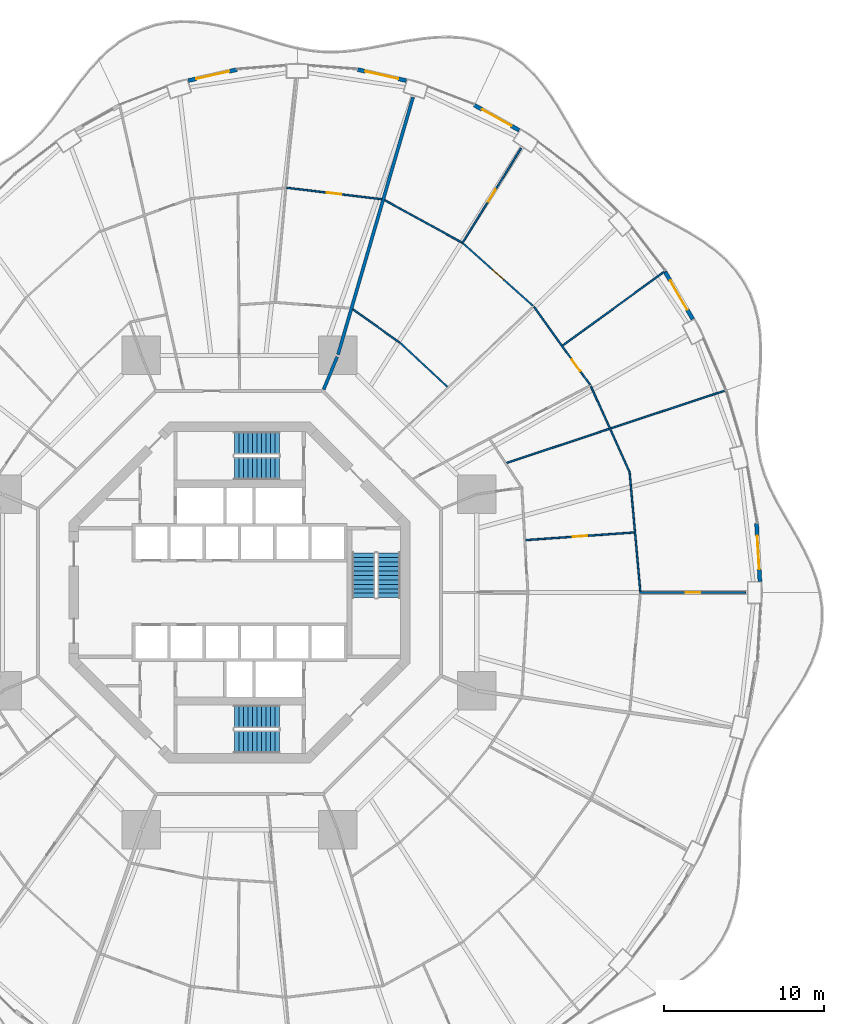
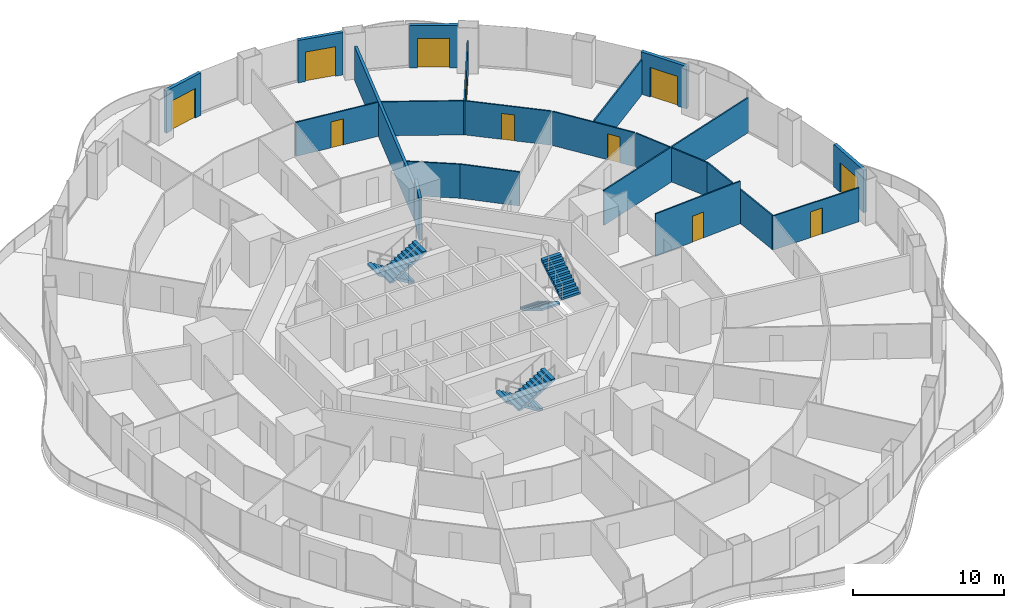
# One storey, part 19 of 22: 20 walls, 11 doors, 6 stair flights, 11 openings, 3 elements without a shape of their own.
"""IFC4 building model written with IfcOpenShell, lengths in metres."""

from ifc_helpers import new_model, si_unit, direction, frame, frame_2d, origin, place, context, subcontext, project, spatial, polyline, rectangle, outline, extrude, material, layer, layer_set, type_object, element, fill, aggregate, save


model = new_model("IFC4")

# Units and contexts
model_context = context("Model", 3, precision=1e-05, world=origin(), true_north=direction((0.0, 1.0)))
body_context = subcontext(model_context, "Body", "Model", "MODEL_VIEW")
ifc_project = project(units=[si_unit("LENGTHUNIT", "METRE"), si_unit("AREAUNIT", "SQUARE_METRE"), si_unit("VOLUMEUNIT", "CUBIC_METRE"), si_unit("PLANEANGLEUNIT", "RADIAN"), si_unit("MASSUNIT", "GRAM", prefix="KILO")], contexts=[model_context])

# Site, building, storey
site_placement = place(None, origin())
site = spatial("IfcSite", under=ifc_project, at=site_placement, CompositionType="ELEMENT")
building_placement = place(site_placement, origin())
building = spatial("IfcBuilding", under=site, at=building_placement, Name="Nagisa Residences", CompositionType="ELEMENT")
storey_placement = place(building_placement, frame((0.0, 0.0, 34.39990234375)))
storey = spatial("IfcBuildingStorey", under=building, at=storey_placement, Name="L07", CompositionType="ELEMENT", Elevation=34.39990234375)

# Walls
ifc_material_1 = material(Name="Gypsum board on steel studs", Category="steel")
ifc_layer_1 = layer(ifc_material_1, 0.199951171875)
ifc_layer_set_1 = layer_set([ifc_layer_1], Name="Apartment compartment wall EI60 200")
wall_type_1 = type_object("IfcWallType", Name="Apartment compartment wall EI60 200", PredefinedType="PARTITIONING", material=ifc_layer_set_1)
wall_1_placement = place(storey_placement, frame((5.24267578125, 12.6572265625, 0.0), z_axis=(0.0, 0.0, 1.0), x_axis=(0.382707856524, 0.923869415315, 0.0)))
element("IfcWall", 1, at=wall_1_placement, inside=storey, type_object=wall_type_1, Name="wall:L07:u00", PredefinedType="PARTITIONING", context=body_context, shape_type="SweptSolid", body=[
    extrude(rectangle(XDim=2.2001953125, YDim=0.199951171875, at=frame_2d((1.10009765625, 0.0))), origin(), (0.0, 0.0, 1.0), 3.440185546875),
])
wall_2_placement = place(storey_placement, frame((6.136962890625, 14.830078125, 0.0), z_axis=(0.0, 0.0, 1.0), x_axis=(0.27985745069, 0.960041565399, 0.0)))
element("IfcWall", 2, at=wall_2_placement, inside=storey, type_object=wall_type_1, Name="wall:L07:u01", PredefinedType="PARTITIONING", context=body_context, shape_type="SweptSolid", body=[
    extrude(rectangle(XDim=16.705078125, YDim=0.199951171875, at=frame_2d((8.3525390625, 0.0))), origin(), (0.0, 0.0, 1.0), 2.756103515625),
])

# Wall, opening, door
ifc_material_2 = material(Name="Gypsum board on steel studs", Category="steel")
ifc_layer_2 = layer(ifc_material_2, 0.10009765625)
ifc_layer_set_2 = layer_set([ifc_layer_2], Name="Apartment partition 100")
wall_type_2 = type_object("IfcWallType", Name="Apartment partition 100", PredefinedType="PARTITIONING", material=ifc_layer_set_2)
wall_3_placement = place(storey_placement, frame((24.9365234375, 0.0, 0.0), z_axis=(0.0, 0.0, 1.0), x_axis=(1.0, 0.0, 0.0)))
wall_3 = element("IfcWall", 3, at=wall_3_placement, inside=storey, type_object=wall_type_2, Name="wall:L07:u19", PredefinedType="PARTITIONING", context=body_context, shape_type="SweptSolid", body=[
    extrude(rectangle(XDim=6.613525390625, YDim=0.10009765625, at=frame_2d((3.306640625, 0.0))), origin(), (0.0, 0.0, 1.0), 2.756103515625),
])
opening_1_placement = place(wall_3_placement, frame((2.881591796875, 0.0, 0.0)))
opening_1 = element("IfcOpeningElement", 4, at=opening_1_placement, cuts=wall_3, Name="Opening L07-U13", PredefinedType="OPENING", context=body_context, shape_type="SweptSolid", body=[
    extrude(rectangle(XDim=0.89990234375, YDim=2.10009765625, at=frame_2d((0.449951171875, 1.050048828125))), frame((0.0, 0.06005859375, 0.0), z_axis=(0.0, -1.0, 0.0), x_axis=(1.0, 0.0, 0.0)), (0.0, 0.0, 1.0), 0.1201171875),
])
ifc_material_3 = material(Name="Timber door set", Category="wood")
door_type_1 = type_object("IfcDoorType", Name="Apartment door 900x2100", OperationType="NOTDEFINED", PredefinedType="DOOR", material=ifc_material_3)
door_1_placement = place(opening_1_placement, origin())
door_1 = element("IfcDoor", 5, at=door_1_placement, inside=storey, type_object=door_type_1, Name="Door to family room, Apartment 07A", OperationType="SINGLE_SWING_LEFT", OverallHeight=2.10009765625, OverallWidth=0.89990234375, PredefinedType="DOOR", context=body_context, shape_type="SweptSolid", body=[
    extrude(rectangle(XDim=0.89990234375, YDim=2.10009765625, at=frame_2d((0.449951171875, 1.050048828125))), frame((0.0, 0.02490234375, 0.0), z_axis=(0.0, -1.0, 0.0), x_axis=(1.0, 0.0, 0.0)), (0.0, 0.0, 1.0), 0.050048828125),
])
fill(opening_1, door_1)

# Wall
wall_4_placement = place(storey_placement, frame((24.982177734375, 0.0498046875, 0.0), z_axis=(0.0, 0.0, 1.0), x_axis=(-0.089444214321, 0.995991833563, 0.0)))
element("IfcWall", 6, at=wall_4_placement, inside=storey, type_object=wall_type_2, Name="wall:L07:u20", PredefinedType="PARTITIONING", context=body_context, shape_type="SweptSolid", body=[
    extrude(rectangle(XDim=7.522705078125, YDim=0.10009765625, at=frame_2d((3.76123046875, 0.0))), origin(), (0.0, 0.0, 1.0), 2.756103515625),
])

# Wall, opening, door
wall_5_placement = place(storey_placement, frame((17.8330078125, 3.266845703125, 0.0), z_axis=(0.0, 0.0, 1.0), x_axis=(0.997537184513, 0.070139614438, 0.0)))
wall_5 = element("IfcWall", 7, at=wall_5_placement, inside=storey, type_object=wall_type_2, Name="wall:L07:u22", PredefinedType="PARTITIONING", context=body_context, shape_type="SweptSolid", body=[
    extrude(rectangle(XDim=6.783935546875, YDim=0.10009765625, at=frame_2d((3.39208984375, 0.0))), origin(), (0.0, 0.0, 1.0), 3.440185546875),
])
opening_2_placement = place(wall_5_placement, frame((2.94189453125, 0.0, 0.0)))
opening_2 = element("IfcOpeningElement", 8, at=opening_2_placement, cuts=wall_5, Name="Opening L07-U11", PredefinedType="OPENING", context=body_context, shape_type="SweptSolid", body=[
    extrude(rectangle(XDim=0.89990234375, YDim=2.10009765625, at=frame_2d((0.449951171875, 1.050048828125))), frame((0.0, 0.06005859375, 0.0), z_axis=(0.0, -1.0, 0.0), x_axis=(1.0, 0.0, 0.0)), (0.0, 0.0, 1.0), 0.1201171875),
])
door_2_placement = place(opening_2_placement, origin())
door_2 = element("IfcDoor", 9, at=door_2_placement, inside=storey, type_object=door_type_1, Name="Door to kitchen, Apartment 07A", OperationType="SINGLE_SWING_LEFT", OverallHeight=2.10009765625, OverallWidth=0.89990234375, PredefinedType="DOOR", context=body_context, shape_type="SweptSolid", body=[
    extrude(rectangle(XDim=0.89990234375, YDim=2.10009765625, at=frame_2d((0.449951171875, 1.050048828125))), frame((0.0, 0.02490234375, 0.0), z_axis=(0.0, -1.0, 0.0), x_axis=(1.0, 0.0, 0.0)), (0.0, 0.0, 1.0), 0.050048828125),
])
fill(opening_2, door_2)

# Walls
wall_6_placement = place(storey_placement, frame((24.293212890625, 7.5380859375, 0.0), z_axis=(0.0, 0.0, 1.0), x_axis=(-0.410197710154, 0.911996622025, 0.0)))
element("IfcWall", 10, at=wall_6_placement, inside=storey, type_object=wall_type_2, Name="wall:L07:u26", PredefinedType="PARTITIONING", context=body_context, shape_type="SweptSolid", body=[
    extrude(rectangle(XDim=5.8369140625, YDim=0.10009765625, at=frame_2d((2.91845703125, 0.0))), origin(), (0.0, 0.0, 1.0), 2.756103515625),
])
wall_7_placement = place(storey_placement, frame((16.634521484375, 8.077880859375, 0.0), z_axis=(0.0, 0.0, 1.0), x_axis=(0.949412285442, 0.314032342684, 0.0)))
element("IfcWall", 11, at=wall_7_placement, inside=storey, type_object=wall_type_2, Name="wall:L07:u27", PredefinedType="PARTITIONING", context=body_context, shape_type="SweptSolid", body=[
    extrude(rectangle(XDim=14.450927734375, YDim=0.10009765625, at=frame_2d((7.2255859375, 0.0))), origin(), (0.0, 0.0, 1.0), 2.837158203125),
])

# Wall, opening, door
wall_8_placement = place(storey_placement, frame((21.849365234375, 12.947509765625, 0.0), z_axis=(0.0, 0.0, 1.0), x_axis=(-0.584563700282, 0.811347817099, 0.0)))
wall_8 = element("IfcWall", 12, at=wall_8_placement, inside=storey, type_object=wall_type_2, Name="wall:L07:u29", PredefinedType="PARTITIONING", context=body_context, shape_type="SweptSolid", body=[
    extrude(rectangle(XDim=5.984375, YDim=0.10009765625, at=frame_2d((2.9921875, 0.0))), origin(), (0.0, 0.0, 1.0), 2.756103515625),
])
opening_3_placement = place(wall_8_placement, frame((1.046142578125, 0.0, 0.0)))
opening_3 = element("IfcOpeningElement", 13, at=opening_3_placement, cuts=wall_8, Name="Opening L07-U06", PredefinedType="OPENING", context=body_context, shape_type="SweptSolid", body=[
    extrude(rectangle(XDim=0.89990234375, YDim=2.10009765625, at=frame_2d((0.449951171875, 1.050048828125))), frame((0.0, 0.06005859375, 0.0), z_axis=(0.0, -1.0, 0.0), x_axis=(1.0, 0.0, 0.0)), (0.0, 0.0, 1.0), 0.1201171875),
])
door_3_placement = place(opening_3_placement, frame((0.89990234375, 0.0, 0.0), x_axis=(-1.0, 0.0, 0.0)))
door_3 = element("IfcDoor", 14, at=door_3_placement, inside=storey, type_object=door_type_1, Name="Door to master bedroom, Apartment 07A", OperationType="SINGLE_SWING_LEFT", OverallHeight=2.10009765625, OverallWidth=0.89990234375, PredefinedType="DOOR", context=body_context, shape_type="SweptSolid", body=[
    extrude(rectangle(XDim=0.89990234375, YDim=2.10009765625, at=frame_2d((0.449951171875, 1.050048828125))), frame((0.0, 0.02490234375, 0.0), z_axis=(0.0, -1.0, 0.0), x_axis=(1.0, 0.0, 0.0)), (0.0, 0.0, 1.0), 0.050048828125),
])
fill(opening_3, door_3)

# Walls
wall_9_placement = place(storey_placement, frame((20.140625, 15.404541015625, 0.0), z_axis=(0.0, 0.0, 1.0), x_axis=(0.809834895779, 0.58665785734, 0.0)))
element("IfcWall", 15, at=wall_9_placement, inside=storey, type_object=wall_type_2, Name="wall:L07:u30", PredefinedType="PARTITIONING", context=body_context, shape_type="SweptSolid", body=[
    extrude(rectangle(XDim=7.9453125, YDim=0.10009765625, at=frame_2d((3.97265625, 0.0))), origin(), (0.0, 0.0, 1.0), 2.837158203125),
])
wall_10_placement = place(storey_placement, frame((12.957763671875, 12.820068359375, 0.0), z_axis=(0.0, 0.0, 1.0), x_axis=(-0.732028724098, 0.681273768096, 0.0)))
element("IfcWall", 16, at=wall_10_placement, inside=storey, type_object=wall_type_2, Name="wall:L07:u32", PredefinedType="PARTITIONING", context=body_context, shape_type="SweptSolid", body=[
    extrude(rectangle(XDim=4.05029296875, YDim=0.10009765625, at=frame_2d((2.025146484375, 0.0))), origin(), (0.0, 0.0, 1.0), 2.756103515625),
])

# Wall, opening, door
wall_11_placement = place(storey_placement, frame((18.28466796875, 17.876953125, 0.0), z_axis=(0.0, 0.0, 1.0), x_axis=(-0.745806142791, 0.666163041136, 0.0)))
wall_11 = element("IfcWall", 17, at=wall_11_placement, inside=storey, type_object=wall_type_2, Name="wall:L07:u33", PredefinedType="PARTITIONING", context=body_context, shape_type="SweptSolid", body=[
    extrude(rectangle(XDim=5.83056640625, YDim=0.10009765625, at=frame_2d((2.915283203125, 0.0))), origin(), (0.0, 0.0, 1.0), 2.756103515625),
])
opening_4_placement = place(wall_11_placement, frame((2.46533203125, 0.0, 0.0)))
opening_4 = element("IfcOpeningElement", 18, at=opening_4_placement, cuts=wall_11, Name="Opening L07-U07", PredefinedType="OPENING", context=body_context, shape_type="SweptSolid", body=[
    extrude(rectangle(XDim=0.89990234375, YDim=2.10009765625, at=frame_2d((0.449951171875, 1.050048828125))), frame((0.0, 0.06005859375, 0.0), z_axis=(0.0, -1.0, 0.0), x_axis=(1.0, 0.0, 0.0)), (0.0, 0.0, 1.0), 0.1201171875),
])
door_4_placement = place(opening_4_placement, frame((0.89990234375, 0.0, 0.0), x_axis=(-1.0, 0.0, 0.0)))
door_4 = element("IfcDoor", 19, at=door_4_placement, inside=storey, type_object=door_type_1, Name="Door to family room, Apartment 07A", OperationType="SINGLE_SWING_RIGHT", OverallHeight=2.10009765625, OverallWidth=0.89990234375, PredefinedType="DOOR", context=body_context, shape_type="SweptSolid", body=[
    extrude(rectangle(XDim=0.89990234375, YDim=2.10009765625, at=frame_2d((0.449951171875, 1.050048828125))), frame((0.0, 0.02490234375, 0.0), z_axis=(0.0, -1.0, 0.0), x_axis=(1.0, 0.0, 0.0)), (0.0, 0.0, 1.0), 0.050048828125),
])
fill(opening_4, door_4)

# Wall
wall_12_placement = place(storey_placement, frame((9.98876953125, 15.57421875, 0.0), z_axis=(0.0, 0.0, 1.0), x_axis=(-0.81492039338, 0.57957290521, 0.0)))
element("IfcWall", 20, at=wall_12_placement, inside=storey, type_object=wall_type_2, Name="wall:L07:u34", PredefinedType="PARTITIONING", context=body_context, shape_type="SweptSolid", body=[
    extrude(rectangle(XDim=3.594482421875, YDim=0.10009765625, at=frame_2d((1.79736328125, 0.0))), origin(), (0.0, 0.0, 1.0), 2.756103515625),
])

# Wall, opening, door
wall_13_placement = place(storey_placement, frame((13.87255859375, 21.751708984375, 0.0), z_axis=(0.0, 0.0, 1.0), x_axis=(0.52644491616, 0.850209239099, 0.0)))
wall_13 = element("IfcWall", 21, at=wall_13_placement, inside=storey, type_object=wall_type_2, Name="wall:L07:u35", PredefinedType="PARTITIONING", context=body_context, shape_type="SweptSolid", body=[
    extrude(rectangle(XDim=6.98046875, YDim=0.10009765625, at=frame_2d((3.490234375, 0.0))), origin(), (0.0, 0.0, 1.0), 2.756103515625),
])
opening_5_placement = place(wall_13_placement, frame((3.065185546875, 0.0, 0.0)))
opening_5 = element("IfcOpeningElement", 22, at=opening_5_placement, cuts=wall_13, Name="Opening L07-U08", PredefinedType="OPENING", context=body_context, shape_type="SweptSolid", body=[
    extrude(rectangle(XDim=0.89990234375, YDim=2.10009765625, at=frame_2d((0.449951171875, 1.050048828125))), frame((0.0, 0.06005859375, 0.0), z_axis=(0.0, -1.0, 0.0), x_axis=(1.0, 0.0, 0.0)), (0.0, 0.0, 1.0), 0.1201171875),
])
door_5_placement = place(opening_5_placement, origin())
door_5 = element("IfcDoor", 23, at=door_5_placement, inside=storey, type_object=door_type_1, Name="Door to master bedroom, Apartment 07A", OperationType="SINGLE_SWING_RIGHT", OverallHeight=2.10009765625, OverallWidth=0.89990234375, PredefinedType="DOOR", context=body_context, shape_type="SweptSolid", body=[
    extrude(rectangle(XDim=0.89990234375, YDim=2.10009765625, at=frame_2d((0.449951171875, 1.050048828125))), frame((0.0, 0.02490234375, 0.0), z_axis=(0.0, -1.0, 0.0), x_axis=(1.0, 0.0, 0.0)), (0.0, 0.0, 1.0), 0.050048828125),
])
fill(opening_5, door_5)

# Wall
wall_14_placement = place(storey_placement, frame((13.85498046875, 21.818359375, 0.0), z_axis=(0.0, 0.0, 1.0), x_axis=(-0.876809987787, 0.480837025734, 0.0)))
element("IfcWall", 24, at=wall_14_placement, inside=storey, type_object=wall_type_2, Name="wall:L07:u36", PredefinedType="PARTITIONING", context=body_context, shape_type="SweptSolid", body=[
    extrude(rectangle(XDim=5.486083984375, YDim=0.10009765625, at=frame_2d((2.7431640625, 0.0))), origin(), (0.0, 0.0, 1.0), 2.756103515625),
])

# Wall, opening, door
wall_15_placement = place(storey_placement, frame((8.857666015625, 24.516357421875, 0.0), z_axis=(0.0, 0.0, 1.0), x_axis=(-0.992834127896, 0.119500604542, 0.0)))
wall_15 = element("IfcWall", 25, at=wall_15_placement, inside=storey, type_object=wall_type_2, Name="wall:L07:u38", PredefinedType="PARTITIONING", context=body_context, shape_type="SweptSolid", body=[
    extrude(rectangle(XDim=5.95947265625, YDim=0.10009765625, at=frame_2d((2.979736328125, 0.0))), origin(), (0.0, 0.0, 1.0), 2.756103515625),
])
opening_6_placement = place(wall_15_placement, frame((2.52978515625, 0.0, 0.0)))
opening_6 = element("IfcOpeningElement", 26, at=opening_6_placement, cuts=wall_15, Name="Opening L07-U22", PredefinedType="OPENING", context=body_context, shape_type="SweptSolid", body=[
    extrude(rectangle(XDim=0.89990234375, YDim=2.10009765625, at=frame_2d((0.449951171875, 1.050048828125))), frame((0.0, 0.06005859375, 0.0), z_axis=(0.0, -1.0, 0.0), x_axis=(1.0, 0.0, 0.0)), (0.0, 0.0, 1.0), 0.1201171875),
])
door_6_placement = place(opening_6_placement, frame((0.89990234375, 0.0, 0.0), x_axis=(-1.0, 0.0, 0.0)))
door_6 = element("IfcDoor", 27, at=door_6_placement, inside=storey, type_object=door_type_1, Name="Door to master bedroom, Apartment 07B", OperationType="SINGLE_SWING_LEFT", OverallHeight=2.10009765625, OverallWidth=0.89990234375, PredefinedType="DOOR", context=body_context, shape_type="SweptSolid", body=[
    extrude(rectangle(XDim=0.89990234375, YDim=2.10009765625, at=frame_2d((0.449951171875, 1.050048828125))), frame((0.0, 0.02490234375, 0.0), z_axis=(0.0, -1.0, 0.0), x_axis=(1.0, 0.0, 0.0)), (0.0, 0.0, 1.0), 0.050048828125),
])
fill(opening_6, door_6)

ifc_material_4 = material(Name="Precast concrete C40/50", Category="concrete")
ifc_layer_3 = layer(ifc_material_4, 0.25)
ifc_layer_set_3 = layer_set([ifc_layer_3], Name="BALCONY DOOR WALL 250")
wall_type_3 = type_object("IfcWallType", Name="BALCONY DOOR WALL 250", PredefinedType="SOLIDWALL", material=ifc_layer_set_3)
wall_16_placement = place(storey_placement, frame((32.22705078125, 4.30029296875, 0.0), z_axis=(0.0, 0.0, 1.0), x_axis=(0.057546046339, -0.998342853208, 0.0)))
wall_16 = element("IfcWall", 28, at=wall_16_placement, inside=storey, type_object=wall_type_3, Name="wall:L07:bay00", PredefinedType="SOLIDWALL", context=body_context, shape_type="SweptSolid", body=[
    extrude(rectangle(XDim=3.61474609375, YDim=0.25, at=frame_2d((1.807373046875, 0.0))), origin(), (0.0, 0.0, 1.0), 3.440185546875),
])
opening_7_placement = place(wall_16_placement, frame((0.75732421875, 0.0, 0.0)))
opening_7 = element("IfcOpeningElement", 29, at=opening_7_placement, cuts=wall_16, Name="Opening BD-L07-01", PredefinedType="OPENING", context=body_context, shape_type="SweptSolid", body=[
    extrude(rectangle(XDim=2.10009765625, YDim=2.39990234375, at=frame_2d((1.050048828125, 1.199951171875))), frame((0.0, 0.135009765625, 0.0), z_axis=(0.0, -1.0, 0.0), x_axis=(1.0, 0.0, 0.0)), (0.0, 0.0, 1.0), 0.27001953125),
])
ifc_material_5 = material(Name="Aluminium and clear glass", Category="aluminium")
door_type_2 = type_object("IfcDoorType", Name="BALCONY SLIDING DOOR 2100x2400", OperationType="SLIDING_TO_LEFT", PredefinedType="DOOR", material=ifc_material_5)
door_7_placement = place(opening_7_placement, origin())
door_7 = element("IfcDoor", 30, at=door_7_placement, inside=storey, type_object=door_type_2, Name="door:L07:bay00", OperationType="SLIDING_TO_LEFT", OverallHeight=2.39990234375, OverallWidth=2.10009765625, PredefinedType="DOOR", context=body_context, shape_type="SweptSolid", body=[
    extrude(rectangle(XDim=2.10009765625, YDim=2.39990234375, at=frame_2d((1.050048828125, 1.199951171875))), frame((0.0, 0.02490234375, 0.0), z_axis=(0.0, -1.0, 0.0), x_axis=(1.0, 0.0, 0.0)), (0.0, 0.0, 1.0), 0.050048828125),
])
fill(opening_7, door_7)

wall_17_placement = place(storey_placement, frame((26.49951171875, 20.02587890625, 0.0), z_axis=(0.0, 0.0, 1.0), x_axis=(0.506311160839, -0.862350861546, 0.0)))
wall_17 = element("IfcWall", 31, at=wall_17_placement, inside=storey, type_object=wall_type_3, Name="wall:L07:bay04", PredefinedType="SOLIDWALL", context=body_context, shape_type="SweptSolid", body=[
    extrude(rectangle(XDim=3.462158203125, YDim=0.25, at=frame_2d((1.73095703125, 0.0))), origin(), (0.0, 0.0, 1.0), 3.440185546875),
])
opening_8_placement = place(wall_17_placement, frame((0.68115234375, 0.0, 0.0)))
opening_8 = element("IfcOpeningElement", 32, at=opening_8_placement, cuts=wall_17, Name="Opening BD-L07-02", PredefinedType="OPENING", context=body_context, shape_type="SweptSolid", body=[
    extrude(rectangle(XDim=2.10009765625, YDim=2.39990234375, at=frame_2d((1.050048828125, 1.199951171875))), frame((0.0, 0.135009765625, 0.0), z_axis=(0.0, -1.0, 0.0), x_axis=(1.0, 0.0, 0.0)), (0.0, 0.0, 1.0), 0.27001953125),
])
door_8_placement = place(opening_8_placement, origin())
door_8 = element("IfcDoor", 33, at=door_8_placement, inside=storey, type_object=door_type_2, Name="door:L07:bay04", OperationType="SLIDING_TO_LEFT", OverallHeight=2.39990234375, OverallWidth=2.10009765625, PredefinedType="DOOR", context=body_context, shape_type="SweptSolid", body=[
    extrude(rectangle(XDim=2.10009765625, YDim=2.39990234375, at=frame_2d((1.050048828125, 1.199951171875))), frame((0.0, 0.02490234375, 0.0), z_axis=(0.0, -1.0, 0.0), x_axis=(1.0, 0.0, 0.0)), (0.0, 0.0, 1.0), 0.050048828125),
])
fill(opening_8, door_8)

wall_18_placement = place(storey_placement, frame((14.63671875, 30.37890625, 0.0), z_axis=(0.0, 0.0, 1.0), x_axis=(0.872102558443, -0.489323132048, 0.0)))
wall_18 = element("IfcWall", 34, at=wall_18_placement, inside=storey, type_object=wall_type_3, Name="wall:L07:bay08", PredefinedType="SOLIDWALL", context=body_context, shape_type="SweptSolid", body=[
    extrude(rectangle(XDim=3.201171875, YDim=0.25, at=frame_2d((1.6005859375, 0.0))), origin(), (0.0, 0.0, 1.0), 3.440185546875),
])
opening_9_placement = place(wall_18_placement, frame((0.550537109375, 0.0, 0.0)))
opening_9 = element("IfcOpeningElement", 35, at=opening_9_placement, cuts=wall_18, Name="Opening BD-L07-03", PredefinedType="OPENING", context=body_context, shape_type="SweptSolid", body=[
    extrude(rectangle(XDim=2.10009765625, YDim=2.39990234375, at=frame_2d((1.050048828125, 1.199951171875))), frame((0.0, 0.135009765625, 0.0), z_axis=(0.0, -1.0, 0.0), x_axis=(1.0, 0.0, 0.0)), (0.0, 0.0, 1.0), 0.27001953125),
])
door_9_placement = place(opening_9_placement, origin())
door_9 = element("IfcDoor", 36, at=door_9_placement, inside=storey, type_object=door_type_2, Name="door:L07:bay08", OperationType="SLIDING_TO_LEFT", OverallHeight=2.39990234375, OverallWidth=2.10009765625, PredefinedType="DOOR", context=body_context, shape_type="SweptSolid", body=[
    extrude(rectangle(XDim=2.10009765625, YDim=2.39990234375, at=frame_2d((1.050048828125, 1.199951171875))), frame((0.0, 0.02490234375, 0.0), z_axis=(0.0, -1.0, 0.0), x_axis=(1.0, 0.0, 0.0)), (0.0, 0.0, 1.0), 0.050048828125),
])
fill(opening_9, door_9)

wall_19_placement = place(storey_placement, frame((7.357666015625, 32.595703125, 0.0), z_axis=(0.0, 0.0, 1.0), x_axis=(0.97533495413, -0.220729987208, 0.0)))
wall_19 = element("IfcWall", 37, at=wall_19_placement, inside=storey, type_object=wall_type_3, Name="wall:L07:bay10", PredefinedType="SOLIDWALL", context=body_context, shape_type="SweptSolid", body=[
    extrude(rectangle(XDim=3.11474609375, YDim=0.25, at=frame_2d((1.557373046875, 0.0))), origin(), (0.0, 0.0, 1.0), 3.440185546875),
])
opening_10_placement = place(wall_19_placement, frame((0.50732421875, 0.0, 0.0)))
opening_10 = element("IfcOpeningElement", 38, at=opening_10_placement, cuts=wall_19, Name="Opening BD-L07-04", PredefinedType="OPENING", context=body_context, shape_type="SweptSolid", body=[
    extrude(rectangle(XDim=2.10009765625, YDim=2.39990234375, at=frame_2d((1.050048828125, 1.199951171875))), frame((0.0, 0.135009765625, 0.0), z_axis=(0.0, -1.0, 0.0), x_axis=(1.0, 0.0, 0.0)), (0.0, 0.0, 1.0), 0.27001953125),
])
door_10_placement = place(opening_10_placement, origin())
door_10 = element("IfcDoor", 39, at=door_10_placement, inside=storey, type_object=door_type_2, Name="door:L07:bay10", OperationType="SLIDING_TO_LEFT", OverallHeight=2.39990234375, OverallWidth=2.10009765625, PredefinedType="DOOR", context=body_context, shape_type="SweptSolid", body=[
    extrude(rectangle(XDim=2.10009765625, YDim=2.39990234375, at=frame_2d((1.050048828125, 1.199951171875))), frame((0.0, 0.02490234375, 0.0), z_axis=(0.0, -1.0, 0.0), x_axis=(1.0, 0.0, 0.0)), (0.0, 0.0, 1.0), 0.050048828125),
])
fill(opening_10, door_10)

wall_20_placement = place(storey_placement, frame((-3.1953125, 31.908203125, 0.0), z_axis=(0.0, 0.0, 1.0), x_axis=(0.975331134677, 0.220746863466, 0.0)))
wall_20 = element("IfcWall", 40, at=wall_20_placement, inside=storey, type_object=wall_type_3, Name="wall:L07:bay13", PredefinedType="SOLIDWALL", context=body_context, shape_type="SweptSolid", body=[
    extrude(rectangle(XDim=3.114501953125, YDim=0.25, at=frame_2d((1.55712890625, 0.0))), origin(), (0.0, 0.0, 1.0), 3.440185546875),
])
opening_11_placement = place(wall_20_placement, frame((0.50732421875, 0.0, 0.0)))
opening_11 = element("IfcOpeningElement", 41, at=opening_11_placement, cuts=wall_20, Name="Opening BD-L07-05", PredefinedType="OPENING", context=body_context, shape_type="SweptSolid", body=[
    extrude(rectangle(XDim=2.10009765625, YDim=2.39990234375, at=frame_2d((1.050048828125, 1.199951171875))), frame((0.0, 0.135009765625, 0.0), z_axis=(0.0, -1.0, 0.0), x_axis=(1.0, 0.0, 0.0)), (0.0, 0.0, 1.0), 0.27001953125),
])
door_11_placement = place(opening_11_placement, origin())
door_11 = element("IfcDoor", 42, at=door_11_placement, inside=storey, type_object=door_type_2, Name="door:L07:bay13", OperationType="SLIDING_TO_LEFT", OverallHeight=2.39990234375, OverallWidth=2.10009765625, PredefinedType="DOOR", context=body_context, shape_type="SweptSolid", body=[
    extrude(rectangle(XDim=2.10009765625, YDim=2.39990234375, at=frame_2d((1.050048828125, 1.199951171875))), frame((0.0, 0.02490234375, 0.0), z_axis=(0.0, -1.0, 0.0), x_axis=(1.0, 0.0, 0.0)), (0.0, 0.0, 1.0), 0.050048828125),
])
fill(opening_11, door_11)

# Stair, stair flights
ifc_material_6 = material(Name="Concrete C60", Category="concrete")
stair_type = type_object("IfcStairType", Name="Exit stair", PredefinedType="HALF_TURN_STAIR", material=ifc_material_6)
stair_1_placement = place(storey_placement, origin())
stair_1 = element("IfcStair", 43, at=stair_1_placement, inside=storey, type_object=stair_type, Name="L07 Exit stair E", PredefinedType="HALF_TURN_STAIR")
ifc_material_7 = material(Name="Concrete C60", Category="concrete")
stair_flight_type = type_object("IfcStairFlightType", Name="Exit stair flight", PredefinedType="STRAIGHT", material=ifc_material_7)
stair_flight_1_placement = place(storey_placement, frame((7.737060546875, 2.47509765625, 0.0), z_axis=(0.0, 0.0, 1.0), x_axis=(0.0, -1.0, 0.0)))
stair_flight_1 = element("IfcStairFlight", 44, at=stair_flight_1_placement, type_object=stair_flight_type, Name="ST-E flight 1", NumberOfRisers=11, NumberOfTreads=10, PredefinedType="STRAIGHT", RiserHeight=0.168181818, TreadLength=0.28, context=body_context, shape_type="SweptSolid", body=[
    extrude(outline(polyline([(0.0, 0.0), (0.0, 0.168212890625), (0.280029296875, 0.168212890625), (0.280029296875, 0.33642578125), (0.56005859375, 0.33642578125), (0.56005859375, 0.504638671875), (0.840087890625, 0.504638671875), (0.840087890625, 0.672607421875), (1.1201171875, 0.672607421875), (1.1201171875, 0.8408203125), (1.39990234375, 0.8408203125), (1.39990234375, 1.009033203125), (1.679931640625, 1.009033203125), (1.679931640625, 1.17724609375), (1.9599609375, 1.17724609375), (1.9599609375, 1.345458984375), (2.239990234375, 1.345458984375), (2.239990234375, 1.513671875), (2.52001953125, 1.513671875), (2.52001953125, 1.681884765625), (2.800048828125, 1.681884765625), (2.800048828125, 1.85009765625), (2.800048828125, 1.5068359375), (0.291015625, 0.0), (0.0, 0.0)])), frame((0.0, 0.71240234375, 0.0), z_axis=(0.0, -1.0, 0.0), x_axis=(1.0, 0.0, 0.0)), (0.0, 0.0, 1.0), 1.425048828125),
])
stair_flight_2_placement = place(storey_placement, frame((9.31201171875, -0.324951171875, 1.85009765625), z_axis=(0.0, 0.0, 1.0), x_axis=(0.0, 1.0, 0.0)))
stair_flight_2 = element("IfcStairFlight", 45, at=stair_flight_2_placement, type_object=stair_flight_type, Name="ST-E flight 2", NumberOfRisers=11, NumberOfTreads=10, PredefinedType="STRAIGHT", RiserHeight=0.168181818, TreadLength=0.28, context=body_context, shape_type="SweptSolid", body=[
    extrude(outline(polyline([(0.0, 0.0), (0.0, 0.168212890625), (0.280029296875, 0.168212890625), (0.280029296875, 0.33642578125), (0.56005859375, 0.33642578125), (0.56005859375, 0.504638671875), (0.840087890625, 0.504638671875), (0.840087890625, 0.672607421875), (1.1201171875, 0.672607421875), (1.1201171875, 0.8408203125), (1.39990234375, 0.8408203125), (1.39990234375, 1.009033203125), (1.679931640625, 1.009033203125), (1.679931640625, 1.17724609375), (1.9599609375, 1.17724609375), (1.9599609375, 1.345458984375), (2.239990234375, 1.345458984375), (2.239990234375, 1.513671875), (2.52001953125, 1.513671875), (2.52001953125, 1.681884765625), (2.800048828125, 1.681884765625), (2.800048828125, 1.85009765625), (2.800048828125, 1.5068359375), (0.291015625, 0.0), (0.0, 0.0)])), frame((0.0, 0.71240234375, 0.0), z_axis=(0.0, -1.0, 0.0), x_axis=(1.0, 0.0, 0.0)), (0.0, 0.0, 1.0), 1.425048828125),
])
aggregate(stair_1, [stair_flight_1, stair_flight_2])

stair_2_placement = place(storey_placement, origin())
stair_2 = element("IfcStair", 46, at=stair_2_placement, inside=storey, type_object=stair_type, Name="L07 Exit stair N", PredefinedType="HALF_TURN_STAIR")
stair_flight_3_placement = place(storey_placement, frame((2.47509765625, 9.31201171875, 0.0), z_axis=(0.0, 0.0, 1.0), x_axis=(-1.0, 0.0, 0.0)))
stair_flight_3 = element("IfcStairFlight", 47, at=stair_flight_3_placement, type_object=stair_flight_type, Name="ST-N flight 1", NumberOfRisers=11, NumberOfTreads=10, PredefinedType="STRAIGHT", RiserHeight=0.168181818, TreadLength=0.28, context=body_context, shape_type="SweptSolid", body=[
    extrude(outline(polyline([(0.0, 0.0), (0.0, 0.168212890625), (0.280029296875, 0.168212890625), (0.280029296875, 0.33642578125), (0.56005859375, 0.33642578125), (0.56005859375, 0.504638671875), (0.840087890625, 0.504638671875), (0.840087890625, 0.672607421875), (1.1201171875, 0.672607421875), (1.1201171875, 0.8408203125), (1.39990234375, 0.8408203125), (1.39990234375, 1.009033203125), (1.679931640625, 1.009033203125), (1.679931640625, 1.17724609375), (1.9599609375, 1.17724609375), (1.9599609375, 1.345458984375), (2.239990234375, 1.345458984375), (2.239990234375, 1.513671875), (2.52001953125, 1.513671875), (2.52001953125, 1.681884765625), (2.800048828125, 1.681884765625), (2.800048828125, 1.85009765625), (2.800048828125, 1.5068359375), (0.291015625, 0.0), (0.0, 0.0)])), frame((0.0, 0.71240234375, 0.0), z_axis=(0.0, -1.0, 0.0), x_axis=(1.0, 0.0, 0.0)), (0.0, 0.0, 1.0), 1.425048828125),
])
stair_flight_4_placement = place(storey_placement, frame((-0.324951171875, 7.737060546875, 1.85009765625), z_axis=(0.0, 0.0, 1.0), x_axis=(1.0, 0.0, 0.0)))
stair_flight_4 = element("IfcStairFlight", 48, at=stair_flight_4_placement, type_object=stair_flight_type, Name="ST-N flight 2", NumberOfRisers=11, NumberOfTreads=10, PredefinedType="STRAIGHT", RiserHeight=0.168181818, TreadLength=0.28, context=body_context, shape_type="SweptSolid", body=[
    extrude(outline(polyline([(0.0, 0.0), (0.0, 0.168212890625), (0.280029296875, 0.168212890625), (0.280029296875, 0.33642578125), (0.56005859375, 0.33642578125), (0.56005859375, 0.504638671875), (0.840087890625, 0.504638671875), (0.840087890625, 0.672607421875), (1.1201171875, 0.672607421875), (1.1201171875, 0.8408203125), (1.39990234375, 0.8408203125), (1.39990234375, 1.009033203125), (1.679931640625, 1.009033203125), (1.679931640625, 1.17724609375), (1.9599609375, 1.17724609375), (1.9599609375, 1.345458984375), (2.239990234375, 1.345458984375), (2.239990234375, 1.513671875), (2.52001953125, 1.513671875), (2.52001953125, 1.681884765625), (2.800048828125, 1.681884765625), (2.800048828125, 1.85009765625), (2.800048828125, 1.5068359375), (0.291015625, 0.0), (0.0, 0.0)])), frame((0.0, 0.71240234375, 0.0), z_axis=(0.0, -1.0, 0.0), x_axis=(1.0, 0.0, 0.0)), (0.0, 0.0, 1.0), 1.425048828125),
])
aggregate(stair_2, [stair_flight_3, stair_flight_4])

stair_3_placement = place(storey_placement, origin())
stair_3 = element("IfcStair", 49, at=stair_3_placement, inside=storey, type_object=stair_type, Name="L07 Exit stair S", PredefinedType="HALF_TURN_STAIR")
stair_flight_5_placement = place(storey_placement, frame((2.47509765625, -7.737060546875, 0.0), z_axis=(0.0, 0.0, 1.0), x_axis=(-1.0, 0.0, 0.0)))
stair_flight_5 = element("IfcStairFlight", 50, at=stair_flight_5_placement, type_object=stair_flight_type, Name="ST-S flight 1", NumberOfRisers=11, NumberOfTreads=10, PredefinedType="STRAIGHT", RiserHeight=0.168181818, TreadLength=0.28, context=body_context, shape_type="SweptSolid", body=[
    extrude(outline(polyline([(0.0, 0.0), (0.0, 0.168212890625), (0.280029296875, 0.168212890625), (0.280029296875, 0.33642578125), (0.56005859375, 0.33642578125), (0.56005859375, 0.504638671875), (0.840087890625, 0.504638671875), (0.840087890625, 0.672607421875), (1.1201171875, 0.672607421875), (1.1201171875, 0.8408203125), (1.39990234375, 0.8408203125), (1.39990234375, 1.009033203125), (1.679931640625, 1.009033203125), (1.679931640625, 1.17724609375), (1.9599609375, 1.17724609375), (1.9599609375, 1.345458984375), (2.239990234375, 1.345458984375), (2.239990234375, 1.513671875), (2.52001953125, 1.513671875), (2.52001953125, 1.681884765625), (2.800048828125, 1.681884765625), (2.800048828125, 1.85009765625), (2.800048828125, 1.5068359375), (0.291015625, 0.0), (0.0, 0.0)])), frame((0.0, 0.71240234375, 0.0), z_axis=(0.0, -1.0, 0.0), x_axis=(1.0, 0.0, 0.0)), (0.0, 0.0, 1.0), 1.425048828125),
])
stair_flight_6_placement = place(storey_placement, frame((-0.324951171875, -9.31201171875, 1.85009765625), z_axis=(0.0, 0.0, 1.0), x_axis=(1.0, 0.0, 0.0)))
stair_flight_6 = element("IfcStairFlight", 51, at=stair_flight_6_placement, type_object=stair_flight_type, Name="ST-S flight 2", NumberOfRisers=11, NumberOfTreads=10, PredefinedType="STRAIGHT", RiserHeight=0.168181818, TreadLength=0.28, context=body_context, shape_type="SweptSolid", body=[
    extrude(outline(polyline([(0.0, 0.0), (0.0, 0.168212890625), (0.280029296875, 0.168212890625), (0.280029296875, 0.33642578125), (0.56005859375, 0.33642578125), (0.56005859375, 0.504638671875), (0.840087890625, 0.504638671875), (0.840087890625, 0.672607421875), (1.1201171875, 0.672607421875), (1.1201171875, 0.8408203125), (1.39990234375, 0.8408203125), (1.39990234375, 1.009033203125), (1.679931640625, 1.009033203125), (1.679931640625, 1.17724609375), (1.9599609375, 1.17724609375), (1.9599609375, 1.345458984375), (2.239990234375, 1.345458984375), (2.239990234375, 1.513671875), (2.52001953125, 1.513671875), (2.52001953125, 1.681884765625), (2.800048828125, 1.681884765625), (2.800048828125, 1.85009765625), (2.800048828125, 1.5068359375), (0.291015625, 0.0), (0.0, 0.0)])), frame((0.0, 0.71240234375, 0.0), z_axis=(0.0, -1.0, 0.0), x_axis=(1.0, 0.0, 0.0)), (0.0, 0.0, 1.0), 1.425048828125),
])
aggregate(stair_3, [stair_flight_5, stair_flight_6])

save(model, "model.ifc")
